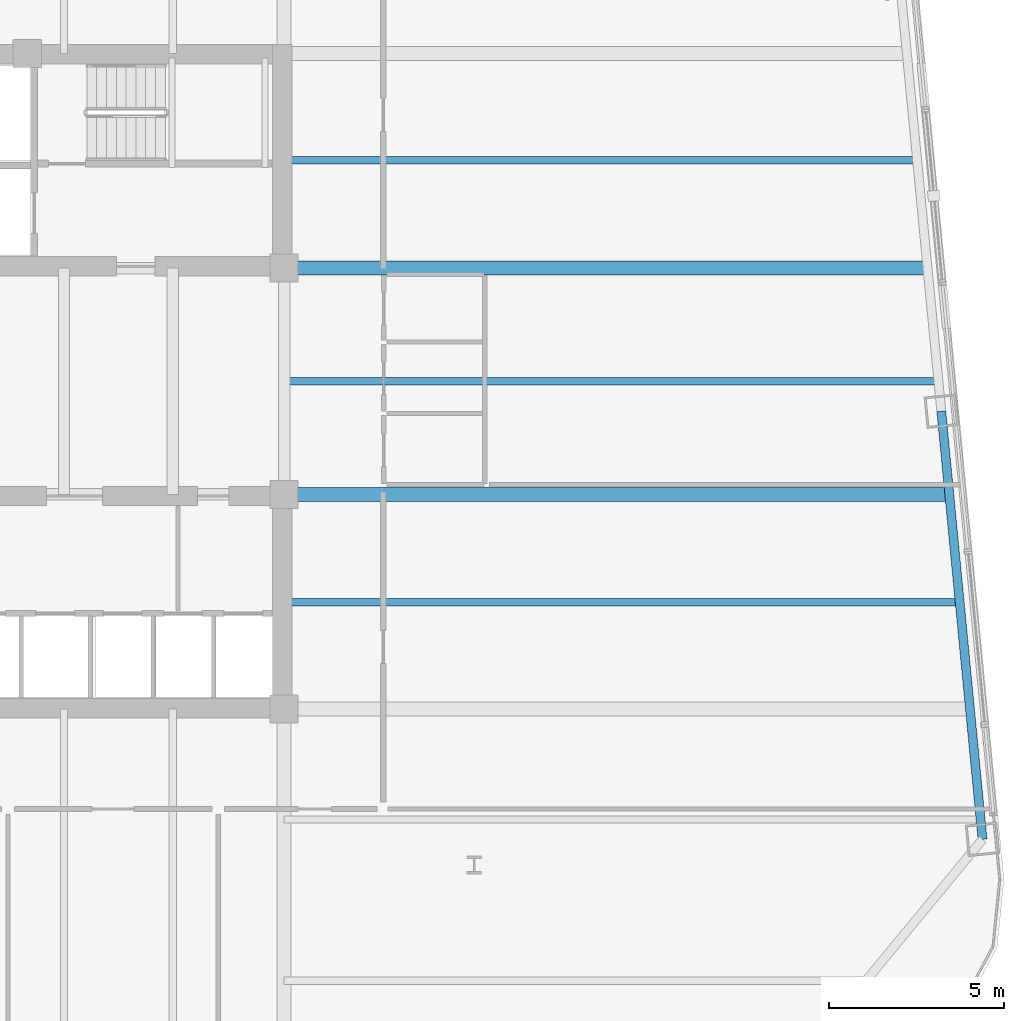
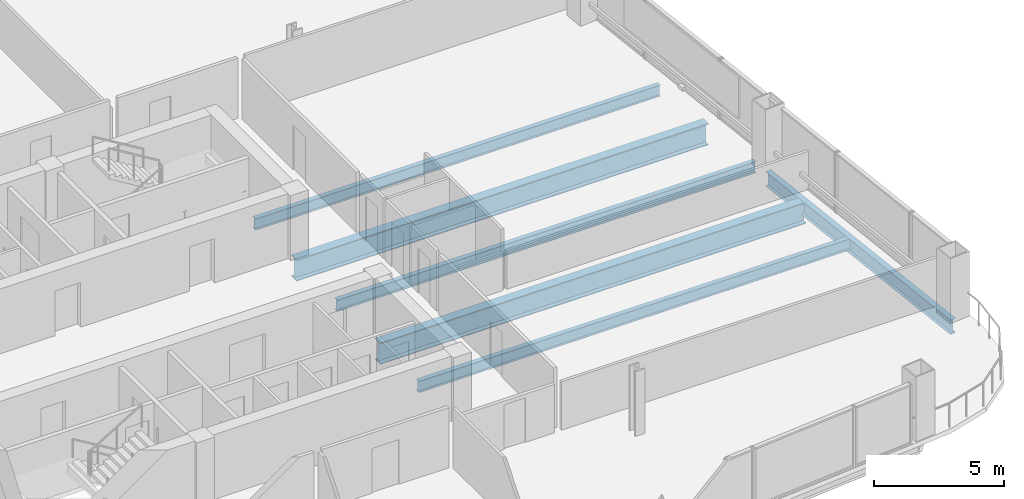
# One storey, part 14 of 32: 6 beams.
"""IFC4 building model written with IfcOpenShell, lengths in metres."""

import ifcopenshell
import ifcopenshell.guid

model = None  # the IFC model being written
_history = None  # IfcOwnerHistory: only IFC2X3 demands one
_inside = {}  # id of a spatial element -> (the spatial element, [elements in it])
_under = {}  # id of a project, library or spatial element -> (it, [spatial elements below it])
_declared = {}  # id of a project -> (the project, [libraries it declares])
_typed = {}  # id of a type object -> (the type object, [elements of that type])
_made_of = {}  # id of a material, layer set ... -> (it, [elements and type objects made of it])


def new_model(schema):
    """Start an empty IFC model of exactly this schema.

    Asked for "IFC4X3", IfcOpenShell would pick the latest addendum, in which some entities
    have other attributes; the version numbers below select the first issue.
    IFC2X3 requires an IfcOwnerHistory on every rooted entity: one is made here for all.
    """
    global model, _history
    if schema == "IFC4X3":
        model = ifcopenshell.file(schema_version=(4, 3, 0, 0))
    else:
        model = ifcopenshell.file(schema=schema)
    _inside.clear()
    _under.clear()
    _declared.clear()
    _typed.clear()
    _made_of.clear()
    _history = None
    if model.schema == "IFC2X3":
        org = make("IfcOrganization", Name="unknown")
        user = make(
            "IfcPersonAndOrganization",
            ThePerson=make("IfcPerson", FamilyName="unknown"),
            TheOrganization=org,
        )
        app = make(
            "IfcApplication",
            ApplicationDeveloper=org,
            Version="unknown",
            ApplicationFullName="unknown",
            ApplicationIdentifier="unknown",
        )
        _history = make(
            "IfcOwnerHistory",
            OwningUser=user,
            OwningApplication=app,
            ChangeAction="ADDED",
            CreationDate=0,
        )
    return model


def make(cls, **values):
    """One entity of the class cls with the attributes given. An attribute that is None is left unset."""
    return model.create_entity(
        cls, **{name: value for name, value in values.items() if value is not None}
    )


def rooted(cls, **values):
    """An entity with a GlobalId (a new one), such as an element, a storey or a relation."""
    return make(cls, GlobalId=ifcopenshell.guid.new(), OwnerHistory=_history, **values)


def si_unit(unit_type, name, prefix=None):
    """IfcSIUnit, for example si_unit("LENGTHUNIT", "METRE", prefix="MILLI")."""
    return make("IfcSIUnit", UnitType=unit_type, Prefix=prefix, Name=name)


def assignment(units):
    """IfcUnitAssignment: the units of a project."""
    return None if units is None else make("IfcUnitAssignment", Units=units)


def point(xyz):
    """IfcCartesianPoint."""
    return None if xyz is None else make("IfcCartesianPoint", Coordinates=xyz)


def direction(xyz):
    """IfcDirection."""
    return None if xyz is None else make("IfcDirection", DirectionRatios=xyz)


def frame(location, z_axis=None, x_axis=None):
    """IfcAxis2Placement3D, a coordinate frame: its origin and axes. An axis left out is left unset."""
    return make(
        "IfcAxis2Placement3D",
        Location=point(location),
        Axis=direction(z_axis),
        RefDirection=direction(x_axis),
    )


def frame_2d(location, x_axis=None):
    """IfcAxis2Placement2D, a coordinate frame in the plane: its origin and x axis."""
    return make(
        "IfcAxis2Placement2D", Location=point(location), RefDirection=direction(x_axis)
    )


def origin():
    """The frame at (0, 0, 0) with its axes left unset."""
    return frame((0.0, 0.0, 0.0))


def origin_2d():
    """The frame at (0, 0) in the plane with its x axis left unset."""
    return frame_2d((0.0, 0.0))


def place(relative_to, where):
    """IfcLocalPlacement: puts the frame where relative to a parent placement (None: the world)."""
    return make(
        "IfcLocalPlacement", PlacementRelTo=relative_to, RelativePlacement=where
    )


def context(
    kind, dimensions, precision=None, world=None, true_north=None, identifier=None
):
    """IfcGeometricRepresentationContext, for example the 3D "Model" context."""
    return make(
        "IfcGeometricRepresentationContext",
        ContextIdentifier=identifier,
        ContextType=kind,
        CoordinateSpaceDimension=dimensions,
        Precision=precision,
        WorldCoordinateSystem=world,
        TrueNorth=true_north,
    )


def subcontext(parent, identifier, kind, view, scale=None):
    """IfcGeometricRepresentationSubContext, for example "Body" below "Model"."""
    return make(
        "IfcGeometricRepresentationSubContext",
        ContextIdentifier=identifier,
        ContextType=kind,
        ParentContext=parent,
        TargetScale=scale,
        TargetView=view,
    )


def project(units=None, contexts=None):
    """IfcProject with its units and contexts."""
    return rooted(
        "IfcProject",
        Name="project",
        RepresentationContexts=contexts,
        UnitsInContext=assignment(units),
    )


def spatial(cls, under=None, at=None, **own):
    """A site, building, storey or space (cls), placed at a placement, below another one or the project."""
    s = rooted(cls, ObjectPlacement=at, **own)
    if under is not None:
        _under.setdefault(under.id(), (under, []))[1].append(s)
    return s


def profile(cls, at=None, kind="AREA", **sizes):
    """A parametric profile (cls). Its sizes go by their IFC names, for example OverallWidth=200.0."""
    return make(cls, ProfileType=kind, Position=at, **sizes)


def i_section(**sizes):
    """IfcIShapeProfileDef."""
    return profile("IfcIShapeProfileDef", **sizes)


def extrude(swept, where, along, depth):
    """IfcExtrudedAreaSolid: the profile swept, set in the frame where, extruded along a direction by depth."""
    return make(
        "IfcExtrudedAreaSolid",
        SweptArea=swept,
        Position=where,
        ExtrudedDirection=direction(along),
        Depth=depth,
    )


def shape(context_of_items, identifier, shape_type, items):
    """IfcShapeRepresentation: the items that make up one representation, for example the "Body"."""
    return make(
        "IfcShapeRepresentation",
        ContextOfItems=context_of_items,
        RepresentationIdentifier=identifier,
        RepresentationType=shape_type,
        Items=items,
    )


def material(Name=None, Category=None):
    """IfcMaterial."""
    return make("IfcMaterial", Name=Name, Category=Category)


def material_profile(
    of_material, cross_section, Name=None, Category=None, Priority=None
):
    """IfcMaterialProfile: a cross section and its material."""
    return make(
        "IfcMaterialProfile",
        Name=Name,
        Material=of_material,
        Profile=cross_section,
        Priority=Priority,
        Category=Category,
    )


def profile_set(profiles, Name=None, composite=None):
    """IfcMaterialProfileSet."""
    return make(
        "IfcMaterialProfileSet",
        Name=Name,
        MaterialProfiles=profiles,
        CompositeProfile=composite,
    )


def made_of(thing, what):
    """Note that an element or type object is made of a material, layer set ...; save() writes the relation."""
    if what is not None:
        _made_of.setdefault(what.id(), (what, []))[1].append(thing)
    return thing


def type_object(cls, material=None, **own):
    """A type object (cls), such as IfcWallType, which elements share."""
    return made_of(rooted(cls, **own), material)


def element(
    cls,
    number,
    at=None,
    inside=None,
    cuts=None,
    type_object=None,
    material=None,
    context=None,
    identifier="Body",
    shape_type=None,
    held_by="IfcProductDefinitionShape",
    body=None,
    shapes=None,
    **own,
):
    """One element of the class cls, such as IfcWall. Its Tag is "e" and its number.

    at: its placement. inside: the storey or other place that contains it. cuts: it is an
    opening in that element (IfcRelVoidsElement). A single representation is given by context,
    identifier, shape_type and body (its items); several are given by shapes. held_by: the class
    of the entity that holds the representations. save() writes the other relations.
    """
    e = rooted(cls, Tag="e%d" % number, ObjectPlacement=at, **own)
    if body is not None:
        shapes = [shape(context, identifier, shape_type, body)]
    if shapes is not None:
        e.Representation = make(held_by, Representations=shapes)
    if inside is not None:
        _inside.setdefault(inside.id(), (inside, []))[1].append(e)
    if cuts is not None:
        rooted(
            "IfcRelVoidsElement", RelatingBuildingElement=cuts, RelatedOpeningElement=e
        )
    if type_object is not None:
        _typed.setdefault(type_object.id(), (type_object, []))[1].append(e)
    return made_of(e, material)


def aggregate(whole, parts):
    """IfcRelAggregates: a whole, such as a stair, and the parts it consists of."""
    return rooted("IfcRelAggregates", RelatingObject=whole, RelatedObjects=parts)


def save(model, path):
    """Write the relations noted so far, then the file.

    IfcRelAggregates (storeys below a building ...), IfcRelContainedInSpatialStructure (elements
    in a storey), IfcRelDefinesByType, IfcRelAssociatesMaterial and IfcRelDeclares: one each for
    every whole, place, type object, material and project.
    """
    for whole, parts in _under.values():
        aggregate(whole, parts)
    for where, things in _inside.values():
        rooted(
            "IfcRelContainedInSpatialStructure",
            RelatedElements=things,
            RelatingStructure=where,
        )
    for kind, things in _typed.values():
        rooted("IfcRelDefinesByType", RelatedObjects=things, RelatingType=kind)
    for what, things in _made_of.values():
        rooted("IfcRelAssociatesMaterial", RelatedObjects=things, RelatingMaterial=what)
    for by, libraries in _declared.values():
        rooted("IfcRelDeclares", RelatingContext=by, RelatedDefinitions=libraries)
    model.write(path)


model = new_model("IFC4")

# Units and contexts
model_context = context("Model", 3, precision=1e-05, world=origin(), true_north=direction((0.0, 1.0)))
body_context = subcontext(model_context, "Body", "Model", "MODEL_VIEW")
ifc_project = project(units=[si_unit("LENGTHUNIT", "METRE"), si_unit("AREAUNIT", "SQUARE_METRE"), si_unit("VOLUMEUNIT", "CUBIC_METRE"), si_unit("PLANEANGLEUNIT", "RADIAN"), si_unit("MASSUNIT", "GRAM", prefix="KILO")], contexts=[model_context])

# Site, building, storey
site_placement = place(None, origin())
site = spatial("IfcSite", under=ifc_project, at=site_placement, CompositionType="ELEMENT")
building_placement = place(site_placement, origin())
building = spatial("IfcBuilding", under=site, at=building_placement, Name="Qhalaya Broadcast Tower", CompositionType="ELEMENT")
storey_placement = place(building_placement, frame((0.0, 0.0, 87.75)))
storey = spatial("IfcBuildingStorey", under=building, at=storey_placement, Name="L25", CompositionType="ELEMENT", Elevation=87.75)

# Beams
ifc_material = material(Name="Structural Steel ASTM A992 Grade 50", Category="steel")
ifc_material_profile_1 = material_profile(ifc_material, i_section(OverallWidth=0.2099609375, OverallDepth=0.535888671875, WebThickness=0.010986328125, FlangeThickness=0.017333984375, at=origin_2d()), Name="W21X68")
ifc_profile_set_1 = profile_set([ifc_material_profile_1], Name="Structural Steel ASTM A992 Grade 50")
beam_type_1 = type_object("IfcBeamType", Name="Composite Floor Joist J02", PredefinedType="JOIST", material=ifc_profile_set_1)
beam_1_placement = place(storey_placement, frame((9.375, -5.699951171875, -0.488037109375), z_axis=(1.0, 0.0, 0.0), x_axis=(0.0, 1.0, 0.0)))
element("IfcBeam", 1, at=beam_1_placement, inside=storey, type_object=beam_type_1, Name="L25 J02 L25-JWE3E-1", PredefinedType="JOIST", context=body_context, shape_type="SweptSolid", body=[
    extrude(i_section(OverallWidth=0.2099609375, OverallDepth=0.535888671875, WebThickness=0.010986328125, FlangeThickness=0.017333984375, at=origin_2d()), origin(), (0.0, 0.0, 1.0), 19.24609375),
])
beam_2_placement = place(storey_placement, frame((9.375, 0.60009765625, -0.488037109375), z_axis=(1.0, 0.0, 0.0), x_axis=(0.0, 1.0, 0.0)))
element("IfcBeam", 2, at=beam_2_placement, inside=storey, type_object=beam_type_1, Name="L25 J02 L25-JWE4E-1", PredefinedType="JOIST", context=body_context, shape_type="SweptSolid", body=[
    extrude(i_section(OverallWidth=0.2099609375, OverallDepth=0.535888671875, WebThickness=0.010986328125, FlangeThickness=0.017333984375, at=origin_2d()), origin(), (0.0, 0.0, 1.0), 18.639404296875),
])
beam_3_placement = place(storey_placement, frame((9.375, 6.89990234375, -0.488037109375), z_axis=(1.0, 0.0, 0.0), x_axis=(0.0, 1.0, 0.0)))
element("IfcBeam", 3, at=beam_3_placement, inside=storey, type_object=beam_type_1, Name="L25 J02 L25-JWE5E-1", PredefinedType="JOIST", context=body_context, shape_type="SweptSolid", body=[
    extrude(i_section(OverallWidth=0.2099609375, OverallDepth=0.535888671875, WebThickness=0.010986328125, FlangeThickness=0.017333984375, at=origin_2d()), origin(), (0.0, 0.0, 1.0), 18.03271484375),
])
ifc_material_profile_2 = material_profile(ifc_material, i_section(OverallWidth=0.40087890625, OverallDepth=1.010986328125, WebThickness=0.023681640625, FlangeThickness=0.0419921875, at=origin_2d()), Name="W40X297")
ifc_profile_set_2 = profile_set([ifc_material_profile_2], Name="Structural Steel ASTM A992 Grade 50")
beam_type_2 = type_object("IfcBeamType", Name="Lower Block Primary Girder PG2", PredefinedType="USERDEFINED", material=ifc_profile_set_2)
beam_4_placement = place(storey_placement, frame((9.375, -2.625, -0.7255859375), z_axis=(1.0, 0.0, 0.0), x_axis=(0.0, 1.0, 0.0)))
element("IfcBeam", 4, at=beam_4_placement, inside=storey, type_object=beam_type_2, Name="L25 PG2 L25-PGYE2-1", ObjectType="GIRDER", PredefinedType="USERDEFINED", context=body_context, shape_type="SweptSolid", body=[
    extrude(i_section(OverallWidth=0.40087890625, OverallDepth=1.010986328125, WebThickness=0.023681640625, FlangeThickness=0.0419921875, at=origin_2d()), origin(), (0.0, 0.0, 1.0), 18.949951171875),
])
beam_5_placement = place(storey_placement, frame((9.375, 3.824951171875, -0.7255859375), z_axis=(1.0, 0.0, 0.0), x_axis=(0.0, 1.0, 0.0)))
element("IfcBeam", 5, at=beam_5_placement, inside=storey, type_object=beam_type_2, Name="L25 PG2 L25-PGYE3-1", ObjectType="GIRDER", PredefinedType="USERDEFINED", context=body_context, shape_type="SweptSolid", body=[
    extrude(i_section(OverallWidth=0.40087890625, OverallDepth=1.010986328125, WebThickness=0.023681640625, FlangeThickness=0.0419921875, at=origin_2d()), origin(), (0.0, 0.0, 1.0), 18.328857421875),
])
ifc_material_profile_3 = material_profile(ifc_material, i_section(OverallWidth=0.25390625, OverallDepth=0.68310546875, WebThickness=0.012451171875, FlangeThickness=0.01904296875, at=origin_2d()), Name="W27X94")
ifc_profile_set_3 = profile_set([ifc_material_profile_3], Name="Structural Steel ASTM A992 Grade 50")
beam_type_3 = type_object("IfcBeamType", Name="Perimeter Ring Spandrel Beam SP1", PredefinedType="SPANDREL", material=ifc_profile_set_3)
beam_6_placement = place(storey_placement, frame((29.29248046875, -12.46533203125, -0.5615234375), z_axis=(-0.095831866369, 0.995397535354, 0.0), x_axis=(-0.995397535354, -0.095831866369, 0.0)))
element("IfcBeam", 6, at=beam_6_placement, inside=storey, type_object=beam_type_3, Name="L25 SP1 L25-SPR-05", PredefinedType="SPANDREL", context=body_context, shape_type="SweptSolid", body=[
    extrude(i_section(OverallWidth=0.25390625, OverallDepth=0.68310546875, WebThickness=0.012451171875, FlangeThickness=0.01904296875, at=origin_2d()), origin(), (0.0, 0.0, 1.0), 12.2666015625),
])

save(model, "model.ifc")
